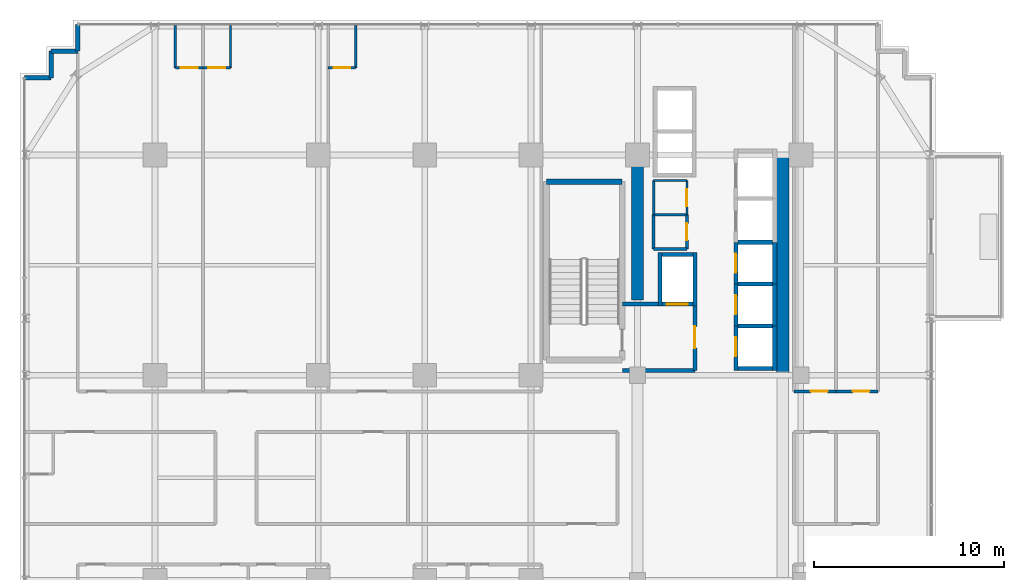
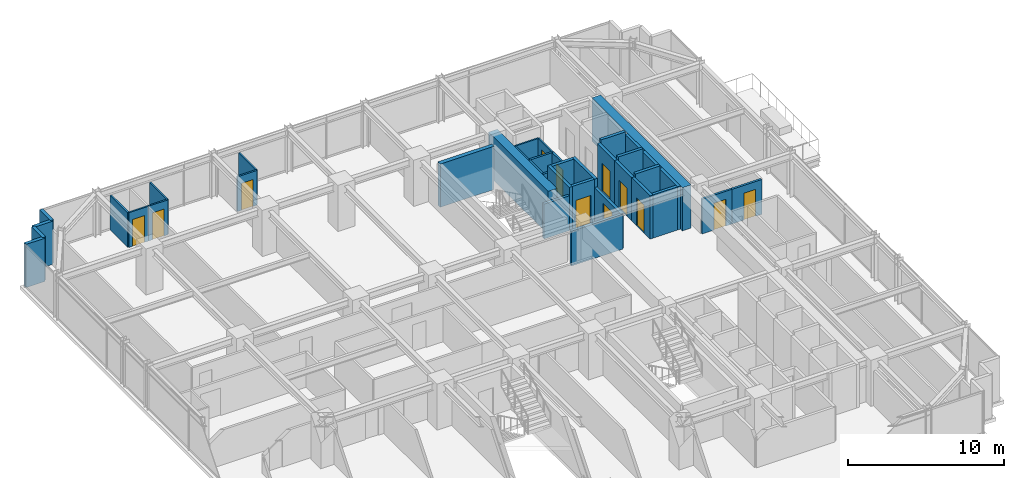
# One storey, part 29 of 33: 39 walls, 12 doors, 12 openings.
"""IFC4 building model written with IfcOpenShell, lengths in metres."""

from ifc_helpers import new_model, si_unit, direction, frame, frame_2d, origin, place, context, subcontext, project, spatial, rectangle, extrude, source, transform, mapped, material, layer, layer_set, type_object, element, fill, save


model = new_model("IFC4")

# Units and contexts
model_context = context("Model", 3, precision=1e-05, world=origin(), true_north=direction((0.0, 1.0)))
body_context = subcontext(model_context, "Body", "Model", "MODEL_VIEW")
ifc_project = project(units=[si_unit("LENGTHUNIT", "METRE"), si_unit("AREAUNIT", "SQUARE_METRE"), si_unit("VOLUMEUNIT", "CUBIC_METRE"), si_unit("PLANEANGLEUNIT", "RADIAN"), si_unit("MASSUNIT", "GRAM", prefix="KILO")], contexts=[model_context])

# Site, building, storey
site_placement = place(None, origin())
site = spatial("IfcSite", under=ifc_project, at=site_placement, CompositionType="ELEMENT")
building_placement = place(site_placement, origin())
building = spatial("IfcBuilding", under=site, at=building_placement, Name="Nahalor Promenade Grand Hotel", CompositionType="ELEMENT")
storey_placement = place(building_placement, frame((0.0, 0.0, 117.5)))
storey = spatial("IfcBuildingStorey", under=building, at=storey_placement, Name="L29", CompositionType="ELEMENT", Elevation=117.5)

# Walls
ifc_material_1 = material(Name="Concrete B-60 (C50/60)", Category="concrete")
ifc_layer_1 = layer(ifc_material_1, 0.64990234375)
ifc_layer_set_1 = layer_set([ifc_layer_1], Name="Concrete B-60 (C50/60)")
wall_type_1 = type_object("IfcWallType", Name="Wall-CoreShear-650", PredefinedType="SHEAR", material=ifc_layer_set_1)
shared_shape_1 = source(origin(), body_context, "Body", "SweptSolid", [
    extrude(rectangle(XDim=7.64990234375, YDim=0.64990234375, at=frame_2d((3.824951171875, 0.0))), origin(), (0.0, 0.0, 1.0), 3.3798828125),
])
wall_1_placement = place(storey_placement, frame((8.39990234375, 9.35009765625, 0.0), z_axis=(0.0, 0.0, 1.0), x_axis=(0.0, 1.0, 0.0)))
element("IfcWall", 1, at=wall_1_placement, inside=storey, type_object=wall_type_1, Name="CWALL-L29-NW", PredefinedType="SHEAR", context=body_context, shape_type="MappedRepresentation", body=[
    mapped(shared_shape_1, transform((0.0, 0.0, 0.0), scale=1.0)),
])
shared_shape_2 = source(origin(), body_context, "Body", "SweptSolid", [
    extrude(rectangle(XDim=11.60009765625, YDim=0.64990234375, at=frame_2d((5.800048828125, 0.0))), origin(), (0.0, 0.0, 1.0), 3.3798828125),
])
wall_2_placement = place(storey_placement, frame((16.050048828125, 5.39990234375, 0.0), z_axis=(0.0, 0.0, 1.0), x_axis=(0.0, 1.0, 0.0)))
element("IfcWall", 2, at=wall_2_placement, inside=storey, type_object=wall_type_1, Name="CWALL-L29-NE", PredefinedType="SHEAR", context=body_context, shape_type="MappedRepresentation", body=[
    mapped(shared_shape_2, transform((0.0, 0.0, 0.0), scale=1.0)),
])
ifc_material_2 = material(Name="Concrete B-50 (C40/50)", Category="concrete")
ifc_layer_2 = layer(ifc_material_2, 0.300048828125)
ifc_layer_set_2 = layer_set([ifc_layer_2], Name="Concrete B-50 (C40/50)")
wall_type_2 = type_object("IfcWallType", Name="Wall-ShaftShear-300", PredefinedType="SHEAR", material=ifc_layer_set_2)
shared_shape_3 = source(origin(), body_context, "Body", "SweptSolid", [
    extrude(rectangle(XDim=3.97998046875, YDim=0.300048828125, at=frame_2d((1.989990234375, 0.0))), origin(), (0.0, 0.0, 1.0), 3.3798828125),
])
wall_3_placement = place(storey_placement, frame((3.610107421875, 15.590087890625, 0.0), z_axis=(0.0, 0.0, 1.0), x_axis=(1.0, 0.0, 0.0)))
element("IfcWall", 3, at=wall_3_placement, inside=storey, type_object=wall_type_2, Name="L29 Exit Stair ST1 Shaft Wall N", PredefinedType="SHEAR", context=body_context, shape_type="MappedRepresentation", body=[
    mapped(shared_shape_3, transform((0.0, 0.0, 0.0), scale=1.0)),
])
ifc_layer_3 = layer(ifc_material_2, 0.219970703125)
ifc_layer_set_3 = layer_set([ifc_layer_3], Name="Concrete B-50 (C40/50)")
wall_type_3 = type_object("IfcWallType", Name="Wall-LiftShaft-220", PredefinedType="SHEAR", material=ifc_layer_set_3)
shared_shape_4 = source(origin(), body_context, "Body", "SweptSolid", [
    extrude(rectangle(XDim=1.820068359375, YDim=0.219970703125, at=frame_2d((0.91015625, 0.0))), origin(), (0.0, 0.0, 1.0), 3.64990234375),
])
for number, where, z_axis, x_axis, name in (
    (4, (13.68994140625, 8.0, 0.0), (0.0, 0.0, 1.0), (1.0, 0.0, 0.0), "L29 Lift PL1 Hoistway Wall N"),
    (5, (13.68994140625, 10.199951171875, 0.0), (0.0, 0.0, 1.0), (1.0, 0.0, 0.0), "L29 Lift PL2 Hoistway Wall N"),
    (6, (13.68994140625, 12.39990234375, 0.0), (0.0, 0.0, 1.0), (1.0, 0.0, 0.0), "L29 Lift PL3 Hoistway Wall N"),
):
    element("IfcWall", number, at=place(storey_placement, frame(where, z_axis=z_axis, x_axis=x_axis)), inside=storey, type_object=wall_type_3, Name=name, PredefinedType="SHEAR", context=body_context, shape_type="MappedRepresentation", body=[
        mapped(shared_shape_4, transform((0.0, 0.0, 0.0), scale=1.0)),
    ])

# Wall, opening, door
shared_shape_5 = source(origin(), body_context, "Body", "SweptSolid", [
    extrude(rectangle(XDim=2.360107421875, YDim=0.219970703125, at=frame_2d((1.18017578125, 0.0))), origin(), (0.0, 0.0, 1.0), 3.3798828125),
])
wall_4_placement = place(storey_placement, frame((13.580078125, 5.639892578125, 0.0), z_axis=(0.0, 0.0, 1.0), x_axis=(0.0, 1.0, 0.0)))
wall_4 = element("IfcWall", 7, at=wall_4_placement, inside=storey, type_object=wall_type_3, Name="L29 Lift PL1 Hoistway Wall W", PredefinedType="SHEAR", context=body_context, shape_type="MappedRepresentation", body=[
    mapped(shared_shape_5, transform((0.0, 0.0, 0.0), scale=1.0)),
])
opening_1_placement = place(wall_4_placement, frame((0.760009765625, 0.0, 0.0)))
opening_1 = element("IfcOpeningElement", 8, at=opening_1_placement, cuts=wall_4, Name="Opening LD-01", PredefinedType="OPENING", context=body_context, shape_type="SweptSolid", body=[
    extrude(rectangle(XDim=1.0, YDim=2.199951171875, at=frame_2d((0.5, 1.10009765625))), frame((0.0, 0.119873046875, 0.0), z_axis=(0.0, -1.0, 0.0), x_axis=(1.0, 0.0, 0.0)), (0.0, 0.0, 1.0), 0.239990234375),
])
ifc_material_3 = material(Name="Steel S355JR", Category="steel")
door_type_1 = type_object("IfcDoorType", Name="Door-LiftLanding-1000", OperationType="DOUBLE_DOOR_SLIDING", PredefinedType="DOOR", material=ifc_material_3)
shared_shape_6 = source(origin(), body_context, "Body", "SweptSolid", [
    extrude(rectangle(XDim=1.0, YDim=2.199951171875, at=frame_2d((0.5, 1.10009765625))), frame((0.0, 0.02490234375, 0.0), z_axis=(0.0, -1.0, 0.0), x_axis=(1.0, 0.0, 0.0)), (0.0, 0.0, 1.0), 0.050048828125),
])
door_1_placement = place(opening_1_placement, origin())
door_1 = element("IfcDoor", 9, at=door_1_placement, inside=storey, type_object=door_type_1, Name="DR-LIFT-PL1-L29", OperationType="DOUBLE_DOOR_SLIDING", OverallHeight=2.199951171875, OverallWidth=1.0, PredefinedType="DOOR", context=body_context, shape_type="MappedRepresentation", body=[
    mapped(shared_shape_6, transform((0.0, 0.0, 0.0), scale=1.0)),
])
fill(opening_1, door_1)

# Walls
wall_5_placement = place(storey_placement, frame((15.6201171875, 5.639892578125, 0.0), z_axis=(0.0, 0.0, 1.0), x_axis=(0.0, 1.0, 0.0)))
element("IfcWall", 10, at=wall_5_placement, inside=storey, type_object=wall_type_3, Name="L29 Lift PL1 Hoistway Wall E", PredefinedType="SHEAR", context=body_context, shape_type="MappedRepresentation", body=[
    mapped(shared_shape_5, transform((0.0, 0.0, 0.0), scale=1.0)),
])
shared_shape_7 = source(origin(), body_context, "Body", "SweptSolid", [
    extrude(rectangle(XDim=1.820068359375, YDim=0.219970703125, at=frame_2d((0.91015625, 0.0))), origin(), (0.0, 0.0, 1.0), 3.3798828125),
])
wall_6_placement = place(storey_placement, frame((13.68994140625, 5.75, 0.0), z_axis=(0.0, 0.0, 1.0), x_axis=(1.0, 0.0, 0.0)))
element("IfcWall", 11, at=wall_6_placement, inside=storey, type_object=wall_type_3, Name="L29 Lift PL1 Hoistway Wall S", PredefinedType="SHEAR", context=body_context, shape_type="MappedRepresentation", body=[
    mapped(shared_shape_7, transform((0.0, 0.0, 0.0), scale=1.0)),
])

# Wall, opening, door
shared_shape_8 = source(origin(), body_context, "Body", "SweptSolid", [
    extrude(rectangle(XDim=2.199951171875, YDim=0.219970703125, at=frame_2d((1.10009765625, 0.0))), origin(), (0.0, 0.0, 1.0), 3.3798828125),
])
wall_7_placement = place(storey_placement, frame((13.580078125, 8.0, 0.0), z_axis=(0.0, 0.0, 1.0), x_axis=(0.0, 1.0, 0.0)))
wall_7 = element("IfcWall", 12, at=wall_7_placement, inside=storey, type_object=wall_type_3, Name="L29 Lift PL2 Hoistway Wall W", PredefinedType="SHEAR", context=body_context, shape_type="MappedRepresentation", body=[
    mapped(shared_shape_8, transform((0.0, 0.0, 0.0), scale=1.0)),
])
opening_2_placement = place(wall_7_placement, frame((0.60009765625, 0.0, 0.0)))
opening_2 = element("IfcOpeningElement", 13, at=opening_2_placement, cuts=wall_7, Name="Opening LD-01", PredefinedType="OPENING", context=body_context, shape_type="SweptSolid", body=[
    extrude(rectangle(XDim=1.0, YDim=2.199951171875, at=frame_2d((0.5, 1.10009765625))), frame((0.0, 0.119873046875, 0.0), z_axis=(0.0, -1.0, 0.0), x_axis=(1.0, 0.0, 0.0)), (0.0, 0.0, 1.0), 0.239990234375),
])
door_2_placement = place(opening_2_placement, origin())
door_2 = element("IfcDoor", 14, at=door_2_placement, inside=storey, type_object=door_type_1, Name="DR-LIFT-PL2-L29", OperationType="DOUBLE_DOOR_SLIDING", OverallHeight=2.199951171875, OverallWidth=1.0, PredefinedType="DOOR", context=body_context, shape_type="MappedRepresentation", body=[
    mapped(shared_shape_6, transform((0.0, 0.0, 0.0), scale=1.0)),
])
fill(opening_2, door_2)

# Wall
wall_8_placement = place(storey_placement, frame((15.6201171875, 8.0, 0.0), z_axis=(0.0, 0.0, 1.0), x_axis=(0.0, 1.0, 0.0)))
element("IfcWall", 15, at=wall_8_placement, inside=storey, type_object=wall_type_3, Name="L29 Lift PL2 Hoistway Wall E", PredefinedType="SHEAR", context=body_context, shape_type="MappedRepresentation", body=[
    mapped(shared_shape_8, transform((0.0, 0.0, 0.0), scale=1.0)),
])

# Wall, opening, door
wall_9_placement = place(storey_placement, frame((13.580078125, 10.199951171875, 0.0), z_axis=(0.0, 0.0, 1.0), x_axis=(0.0, 1.0, 0.0)))
wall_9 = element("IfcWall", 16, at=wall_9_placement, inside=storey, type_object=wall_type_3, Name="L29 Lift PL3 Hoistway Wall W", PredefinedType="SHEAR", context=body_context, shape_type="MappedRepresentation", body=[
    mapped(shared_shape_8, transform((0.0, 0.0, 0.0), scale=1.0)),
])
opening_3_placement = place(wall_9_placement, frame((0.60009765625, 0.0, 0.0)))
opening_3 = element("IfcOpeningElement", 17, at=opening_3_placement, cuts=wall_9, Name="Opening LD-01", PredefinedType="OPENING", context=body_context, shape_type="SweptSolid", body=[
    extrude(rectangle(XDim=1.0, YDim=2.199951171875, at=frame_2d((0.5, 1.10009765625))), frame((0.0, 0.119873046875, 0.0), z_axis=(0.0, -1.0, 0.0), x_axis=(1.0, 0.0, 0.0)), (0.0, 0.0, 1.0), 0.239990234375),
])
door_3_placement = place(opening_3_placement, origin())
door_3 = element("IfcDoor", 18, at=door_3_placement, inside=storey, type_object=door_type_1, Name="DR-LIFT-PL3-L29", OperationType="DOUBLE_DOOR_SLIDING", OverallHeight=2.199951171875, OverallWidth=1.0, PredefinedType="DOOR", context=body_context, shape_type="MappedRepresentation", body=[
    mapped(shared_shape_6, transform((0.0, 0.0, 0.0), scale=1.0)),
])
fill(opening_3, door_3)

# Walls
wall_10_placement = place(storey_placement, frame((15.6201171875, 10.199951171875, 0.0), z_axis=(0.0, 0.0, 1.0), x_axis=(0.0, 1.0, 0.0)))
element("IfcWall", 19, at=wall_10_placement, inside=storey, type_object=wall_type_3, Name="L29 Lift PL3 Hoistway Wall E", PredefinedType="SHEAR", context=body_context, shape_type="MappedRepresentation", body=[
    mapped(shared_shape_8, transform((0.0, 0.0, 0.0), scale=1.0)),
])
shared_shape_9 = source(origin(), body_context, "Body", "SweptSolid", [
    extrude(rectangle(XDim=2.820068359375, YDim=0.219970703125, at=frame_2d((1.41015625, 0.0))), origin(), (0.0, 0.0, 1.0), 3.3798828125),
])
for number, where, z_axis, x_axis, name in (
    (20, (9.580078125, 9.0400390625, 0.0), (0.0, 0.0, 1.0), (0.0, 1.0, 0.0), "L29 Lift FL1 Hoistway Wall W"),
    (21, (11.419921875, 9.0400390625, 0.0), (0.0, 0.0, 1.0), (0.0, 1.0, 0.0), "L29 Lift FL1 Hoistway Wall E"),
):
    element("IfcWall", number, at=place(storey_placement, frame(where, z_axis=z_axis, x_axis=x_axis)), inside=storey, type_object=wall_type_3, Name=name, PredefinedType="SHEAR", context=body_context, shape_type="MappedRepresentation", body=[
        mapped(shared_shape_9, transform((0.0, 0.0, 0.0), scale=1.0)),
    ])

# Wall, opening, door
shared_shape_10 = source(origin(), body_context, "Body", "SweptSolid", [
    extrude(rectangle(XDim=1.6201171875, YDim=0.219970703125, at=frame_2d((0.81005859375, 0.0))), origin(), (0.0, 0.0, 1.0), 3.3798828125),
])
wall_11_placement = place(storey_placement, frame((9.68994140625, 9.14990234375, 0.0), z_axis=(0.0, 0.0, 1.0), x_axis=(1.0, 0.0, 0.0)))
wall_11 = element("IfcWall", 22, at=wall_11_placement, inside=storey, type_object=wall_type_3, Name="L29 Lift FL1 Hoistway Wall S", PredefinedType="SHEAR", context=body_context, shape_type="MappedRepresentation", body=[
    mapped(shared_shape_10, transform((0.0, 0.0, 0.0), scale=1.0)),
])
opening_4_placement = place(wall_11_placement, frame((0.260009765625, 0.0, 0.0)))
opening_4 = element("IfcOpeningElement", 23, at=opening_4_placement, cuts=wall_11, Name="Opening LD-02", PredefinedType="OPENING", context=body_context, shape_type="SweptSolid", body=[
    extrude(rectangle(XDim=1.10009765625, YDim=2.199951171875, at=frame_2d((0.550048828125, 1.10009765625))), frame((0.0, 0.119873046875, 0.0), z_axis=(0.0, -1.0, 0.0), x_axis=(1.0, 0.0, 0.0)), (0.0, 0.0, 1.0), 0.239990234375),
])
door_type_2 = type_object("IfcDoorType", Name="Door-LiftFF-1100", OperationType="DOUBLE_DOOR_SLIDING", PredefinedType="DOOR", material=ifc_material_3)
shared_shape_11 = source(origin(), body_context, "Body", "SweptSolid", [
    extrude(rectangle(XDim=1.10009765625, YDim=2.199951171875, at=frame_2d((0.550048828125, 1.10009765625))), frame((0.0, 0.02490234375, 0.0), z_axis=(0.0, -1.0, 0.0), x_axis=(1.0, 0.0, 0.0)), (0.0, 0.0, 1.0), 0.050048828125),
])
door_4_placement = place(opening_4_placement, frame((1.10009765625, 0.0, 0.0), z_axis=(0.0, 0.0, 1.0), x_axis=(-1.0, 0.0, 0.0)))
door_4 = element("IfcDoor", 24, at=door_4_placement, inside=storey, type_object=door_type_2, Name="DR-LIFT-FL1-L29", OperationType="DOUBLE_DOOR_SLIDING", OverallHeight=2.199951171875, OverallWidth=1.10009765625, PredefinedType="DOOR", context=body_context, shape_type="MappedRepresentation", body=[
    mapped(shared_shape_11, transform((0.0, 0.0, 0.0), scale=1.0)),
])
fill(opening_4, door_4)

# Walls
wall_12_placement = place(storey_placement, frame((9.68994140625, 11.75, 0.0), z_axis=(0.0, 0.0, 1.0), x_axis=(1.0, 0.0, 0.0)))
element("IfcWall", 25, at=wall_12_placement, inside=storey, type_object=wall_type_3, Name="L29 Lift FL1 Hoistway Wall N", PredefinedType="SHEAR", context=body_context, shape_type="MappedRepresentation", body=[
    mapped(shared_shape_10, transform((0.0, 0.0, 0.0), scale=1.0)),
])
ifc_material_4 = material(Name="Concrete B-40 (C32/40)", Category="concrete")
ifc_layer_4 = layer(ifc_material_4, 0.25)
ifc_layer_set_4 = layer_set([ifc_layer_4], Name="Concrete B-40 (C32/40)")
wall_type_4 = type_object("IfcWallType", Name="Wall-BronzePier-250", PredefinedType="STANDARD", material=ifc_layer_set_4)
shared_shape_12 = source(origin(), body_context, "Body", "SweptSolid", [
    extrude(rectangle(XDim=1.400146484375, YDim=0.25, at=frame_2d((0.7001953125, 0.0))), origin(), (0.0, 0.0, 1.0), 3.3798828125),
])
for number, where, z_axis, x_axis, name in (
    (26, (-21.06005859375, 22.4599609375, 0.0), (0.0, 0.0, 1.0), (0.0, 1.0, 0.0), "W-L29-SR-09"),
    (27, (-23.860107421875, 21.06005859375, 0.0), (0.0, 0.0, 1.0), (1.0, 0.0, 0.0), "W-L29-SR-12"),
):
    element("IfcWall", number, at=place(storey_placement, frame(where, z_axis=z_axis, x_axis=x_axis)), inside=storey, type_object=wall_type_4, Name=name, PredefinedType="STANDARD", context=body_context, shape_type="MappedRepresentation", body=[
        mapped(shared_shape_12, transform((0.0, 0.0, 0.0), scale=1.0)),
    ])
shared_shape_13 = source(origin(), body_context, "Body", "SweptSolid", [
    extrude(rectangle(XDim=1.39990234375, YDim=0.25, at=frame_2d((0.699951171875, 0.0))), origin(), (0.0, 0.0, 1.0), 3.3798828125),
])
for number, where, z_axis, x_axis, name in (
    (28, (-22.4599609375, 22.4599609375, 0.0), (0.0, 0.0, 1.0), (1.0, 0.0, 0.0), "W-L29-SR-10"),
    (29, (-22.4599609375, 21.06005859375, 0.0), (0.0, 0.0, 1.0), (0.0, 1.0, 0.0), "W-L29-SR-11"),
):
    element("IfcWall", number, at=place(storey_placement, frame(where, z_axis=z_axis, x_axis=x_axis)), inside=storey, type_object=wall_type_4, Name=name, PredefinedType="STANDARD", context=body_context, shape_type="MappedRepresentation", body=[
        mapped(shared_shape_13, transform((0.0, 0.0, 0.0), scale=1.0)),
    ])
ifc_layer_5 = layer(ifc_material_4, 0.199951171875)
ifc_layer_set_5 = layer_set([ifc_layer_5], Name="Concrete B-40 (C32/40)")
wall_type_5 = type_object("IfcWallType", Name="Wall-PartFire-200", PredefinedType="PARTITIONING", material=ifc_layer_set_5)
shared_shape_14 = source(origin(), body_context, "Body", "SweptSolid", [
    extrude(rectangle(XDim=3.81982421875, YDim=0.199951171875, at=frame_2d((1.909912109375, 0.0))), origin(), (0.0, 0.0, 1.0), 2.719970703125),
])
wall_13_placement = place(storey_placement, frame((7.60009765625, 5.64990234375, 0.0), z_axis=(0.0, 0.0, 1.0), x_axis=(1.0, 0.0, 0.0)))
element("IfcWall", 30, at=wall_13_placement, inside=storey, type_object=wall_type_5, Name="W-L29-FF1-S", PredefinedType="PARTITIONING", context=body_context, shape_type="MappedRepresentation", body=[
    mapped(shared_shape_14, transform((0.0, 0.0, 0.0), scale=1.0)),
])
shared_shape_15 = source(origin(), body_context, "Body", "SweptSolid", [
    extrude(rectangle(XDim=1.89990234375, YDim=0.199951171875, at=frame_2d((0.949951171875, 0.0))), origin(), (0.0, 0.0, 1.0), 2.719970703125),
])
wall_14_placement = place(storey_placement, frame((7.60009765625, 9.14990234375, 0.0), z_axis=(0.0, 0.0, 1.0), x_axis=(1.0, 0.0, 0.0)))
element("IfcWall", 31, at=wall_14_placement, inside=storey, type_object=wall_type_5, Name="W-L29-FF1-N", PredefinedType="PARTITIONING", context=body_context, shape_type="MappedRepresentation", body=[
    mapped(shared_shape_15, transform((0.0, 0.0, 0.0), scale=1.0)),
])

# Wall, opening, door
shared_shape_16 = source(origin(), body_context, "Body", "SweptSolid", [
    extrude(rectangle(XDim=3.5, YDim=0.199951171875, at=frame_2d((1.75, 0.0))), origin(), (0.0, 0.0, 1.0), 2.719970703125),
])
wall_15_placement = place(storey_placement, frame((11.419921875, 5.64990234375, 0.0), z_axis=(0.0, 0.0, 1.0), x_axis=(0.0, 1.0, 0.0)))
wall_15 = element("IfcWall", 32, at=wall_15_placement, inside=storey, type_object=wall_type_5, Name="W-L29-FF1-E", PredefinedType="PARTITIONING", context=body_context, shape_type="MappedRepresentation", body=[
    mapped(shared_shape_16, transform((0.0, 0.0, 0.0), scale=1.0)),
])
opening_5_placement = place(wall_15_placement, frame((1.175048828125, 0.0, 0.0)))
opening_5 = element("IfcOpeningElement", 33, at=opening_5_placement, cuts=wall_15, Name="Opening D-FF1", PredefinedType="OPENING", context=body_context, shape_type="SweptSolid", body=[
    extrude(rectangle(XDim=1.14990234375, YDim=2.14990234375, at=frame_2d((0.574951171875, 1.074951171875))), frame((0.0, 0.10986328125, 0.0), z_axis=(0.0, -1.0, 0.0), x_axis=(1.0, 0.0, 0.0)), (0.0, 0.0, 1.0), 0.219970703125),
])
door_type_3 = type_object("IfcDoorType", Name="Door-FFLobby-1150", OperationType="NOTDEFINED", PredefinedType="DOOR", material=ifc_material_3)
shared_shape_17 = source(origin(), body_context, "Body", "SweptSolid", [
    extrude(rectangle(XDim=1.14990234375, YDim=2.14990234375, at=frame_2d((0.574951171875, 1.074951171875))), frame((0.0, 0.02490234375, 0.0), z_axis=(0.0, -1.0, 0.0), x_axis=(1.0, 0.0, 0.0)), (0.0, 0.0, 1.0), 0.050048828125),
])
door_5_placement = place(opening_5_placement, frame((1.14990234375, 0.0, 0.0), z_axis=(0.0, 0.0, 1.0), x_axis=(-1.0, 0.0, 0.0)))
door_5 = element("IfcDoor", 34, at=door_5_placement, inside=storey, type_object=door_type_3, Name="DR-L29-FFL1", OperationType="SINGLE_SWING_RIGHT", OverallHeight=2.14990234375, OverallWidth=1.14990234375, PredefinedType="DOOR", context=body_context, shape_type="MappedRepresentation", body=[
    mapped(shared_shape_17, transform((0.0, 0.0, 0.0), scale=1.0)),
])
fill(opening_5, door_5)

# Walls
ifc_material_5 = material(Name="Acoustic Mineral Gypsum", Category="gypsum")
ifc_layer_6 = layer(ifc_material_5, 0.14990234375)
ifc_layer_set_6 = layer_set([ifc_layer_6], Name="Acoustic Mineral Gypsum")
wall_type_6 = type_object("IfcWallType", Name="Wall-PartService-150", PredefinedType="PARTITIONING", material=ifc_layer_set_6)
shared_shape_18 = source(origin(), body_context, "Body", "SweptSolid", [
    extrude(rectangle(XDim=1.75, YDim=0.14990234375, at=frame_2d((0.875, 0.0))), origin(), (0.0, 0.0, 1.0), 2.719970703125),
])
for number, where, z_axis, x_axis, name in (
    (35, (9.25, 12.050048828125, 0.0), (0.0, 0.0, 1.0), (1.0, 0.0, 0.0), "W-L29-CK2A-S"),
    (36, (9.25, 13.85009765625, 0.0), (0.0, 0.0, 1.0), (1.0, 0.0, 0.0), "W-L29-CK2A-N"),
):
    element("IfcWall", number, at=place(storey_placement, frame(where, z_axis=z_axis, x_axis=x_axis)), inside=storey, type_object=wall_type_6, Name=name, PredefinedType="PARTITIONING", context=body_context, shape_type="MappedRepresentation", body=[
        mapped(shared_shape_18, transform((0.0, 0.0, 0.0), scale=1.0)),
    ])
ifc_layer_7 = layer(ifc_material_5, 0.1201171875)
ifc_layer_set_7 = layer_set([ifc_layer_7], Name="Acoustic Mineral Gypsum")
wall_type_7 = type_object("IfcWallType", Name="Wall-PartBath-120", PredefinedType="PARTITIONING", material=ifc_layer_set_7)
shared_shape_19 = source(origin(), body_context, "Body", "SweptSolid", [
    extrude(rectangle(XDim=1.75, YDim=0.1201171875, at=frame_2d((0.875, 0.0))), origin(), (0.0, 0.0, 1.0), 2.719970703125),
])
wall_16_placement = place(storey_placement, frame((9.25, 15.64990234375, 0.0), z_axis=(0.0, 0.0, 1.0), x_axis=(1.0, 0.0, 0.0)))
element("IfcWall", 37, at=wall_16_placement, inside=storey, type_object=wall_type_7, Name="W-L29-CK2B-N", PredefinedType="PARTITIONING", context=body_context, shape_type="MappedRepresentation", body=[
    mapped(shared_shape_19, transform((0.0, 0.0, 0.0), scale=1.0)),
])

# Wall, opening, door
shared_shape_20 = source(origin(), body_context, "Body", "SweptSolid", [
    extrude(rectangle(XDim=1.4501953125, YDim=0.1201171875, at=frame_2d((0.72509765625, 0.0))), origin(), (0.0, 0.0, 1.0), 2.719970703125),
])
wall_17_placement = place(storey_placement, frame((-15.922119140625, 21.580078125, 0.0), z_axis=(0.0, 0.0, 1.0), x_axis=(1.0, 0.0, 0.0)))
wall_17 = element("IfcWall", 38, at=wall_17_placement, inside=storey, type_object=wall_type_7, Name="W-L29-N1-BH", PredefinedType="PARTITIONING", context=body_context, shape_type="MappedRepresentation", body=[
    mapped(shared_shape_20, transform((0.0, 0.0, 0.0), scale=1.0)),
])
opening_6_placement = place(wall_17_placement, frame((0.284912109375, 0.0, 0.0)))
opening_6 = element("IfcOpeningElement", 39, at=opening_6_placement, cuts=wall_17, Name="Opening D-03", PredefinedType="OPENING", context=body_context, shape_type="SweptSolid", body=[
    extrude(rectangle(XDim=0.8798828125, YDim=2.10009765625, at=frame_2d((0.43994140625, 1.050048828125))), frame((0.0, 0.070068359375, 0.0), z_axis=(0.0, -1.0, 0.0), x_axis=(1.0, 0.0, 0.0)), (0.0, 0.0, 1.0), 0.14013671875),
])
ifc_material_6 = material(Name="Fire-Rated Timber Composite", Category="wood")
door_type_4 = type_object("IfcDoorType", Name="Door-BathSwing-880", OperationType="NOTDEFINED", PredefinedType="DOOR", material=ifc_material_6)
shared_shape_21 = source(origin(), body_context, "Body", "SweptSolid", [
    extrude(rectangle(XDim=0.8798828125, YDim=2.10009765625, at=frame_2d((0.43994140625, 1.050048828125))), frame((0.0, 0.02490234375, 0.0), z_axis=(0.0, -1.0, 0.0), x_axis=(1.0, 0.0, 0.0)), (0.0, 0.0, 1.0), 0.050048828125),
])
door_6_placement = place(opening_6_placement, origin())
door_6 = element("IfcDoor", 40, at=door_6_placement, inside=storey, type_object=door_type_4, Name="DR-L29-N1-BATH", OperationType="SINGLE_SWING_RIGHT", OverallHeight=2.10009765625, OverallWidth=0.8798828125, PredefinedType="DOOR", context=body_context, shape_type="MappedRepresentation", body=[
    mapped(shared_shape_21, transform((0.0, 0.0, 0.0), scale=1.0)),
])
fill(opening_6, door_6)

# Walls
shared_shape_22 = source(origin(), body_context, "Body", "SweptSolid", [
    extrude(rectangle(XDim=2.219970703125, YDim=0.1201171875, at=frame_2d((1.10986328125, 0.0))), origin(), (0.0, 0.0, 1.0), 2.719970703125),
])
for number, where, z_axis, x_axis, name in (
    (41, (-15.922119140625, 21.580078125, 0.0), (0.0, 0.0, 1.0), (0.0, 1.0, 0.0), "W-L29-N1-BV"),
    (42, (-13.02197265625, 21.580078125, 0.0), (0.0, 0.0, 1.0), (0.0, 1.0, 0.0), "W-L29-N2-BV"),
    (43, (-6.43408203125, 21.580078125, 0.0), (0.0, 0.0, 1.0), (0.0, 1.0, 0.0), "W-L29-N3-BV"),
):
    element("IfcWall", number, at=place(storey_placement, frame(where, z_axis=z_axis, x_axis=x_axis)), inside=storey, type_object=wall_type_7, Name=name, PredefinedType="PARTITIONING", context=body_context, shape_type="MappedRepresentation", body=[
        mapped(shared_shape_22, transform((0.0, 0.0, 0.0), scale=1.0)),
    ])

# Wall, opening, door
shared_shape_23 = source(origin(), body_context, "Body", "SweptSolid", [
    extrude(rectangle(XDim=1.449951171875, YDim=0.1201171875, at=frame_2d((0.72509765625, 0.0))), origin(), (0.0, 0.0, 1.0), 2.719970703125),
])
wall_18_placement = place(storey_placement, frame((-14.471923828125, 21.580078125, 0.0), z_axis=(0.0, 0.0, 1.0), x_axis=(1.0, 0.0, 0.0)))
wall_18 = element("IfcWall", 44, at=wall_18_placement, inside=storey, type_object=wall_type_7, Name="W-L29-N2-BH", PredefinedType="PARTITIONING", context=body_context, shape_type="MappedRepresentation", body=[
    mapped(shared_shape_23, transform((0.0, 0.0, 0.0), scale=1.0)),
])
opening_7_placement = place(wall_18_placement, frame((0.284912109375, 0.0, 0.0)))
opening_7 = element("IfcOpeningElement", 45, at=opening_7_placement, cuts=wall_18, Name="Opening D-03", PredefinedType="OPENING", context=body_context, shape_type="SweptSolid", body=[
    extrude(rectangle(XDim=0.8798828125, YDim=2.10009765625, at=frame_2d((0.43994140625, 1.050048828125))), frame((0.0, 0.070068359375, 0.0), z_axis=(0.0, -1.0, 0.0), x_axis=(1.0, 0.0, 0.0)), (0.0, 0.0, 1.0), 0.14013671875),
])
door_7_placement = place(opening_7_placement, origin())
door_7 = element("IfcDoor", 46, at=door_7_placement, inside=storey, type_object=door_type_4, Name="DR-L29-N2-BATH", OperationType="SINGLE_SWING_RIGHT", OverallHeight=2.10009765625, OverallWidth=0.8798828125, PredefinedType="DOOR", context=body_context, shape_type="MappedRepresentation", body=[
    mapped(shared_shape_21, transform((0.0, 0.0, 0.0), scale=1.0)),
])
fill(opening_7, door_7)

wall_19_placement = place(storey_placement, frame((-7.884033203125, 21.580078125, 0.0), z_axis=(0.0, 0.0, 1.0), x_axis=(1.0, 0.0, 0.0)))
wall_19 = element("IfcWall", 47, at=wall_19_placement, inside=storey, type_object=wall_type_7, Name="W-L29-N3-BH", PredefinedType="PARTITIONING", context=body_context, shape_type="MappedRepresentation", body=[
    mapped(shared_shape_23, transform((0.0, 0.0, 0.0), scale=1.0)),
])
opening_8_placement = place(wall_19_placement, frame((0.284912109375, 0.0, 0.0)))
opening_8 = element("IfcOpeningElement", 48, at=opening_8_placement, cuts=wall_19, Name="Opening D-03", PredefinedType="OPENING", context=body_context, shape_type="SweptSolid", body=[
    extrude(rectangle(XDim=0.8798828125, YDim=2.10009765625, at=frame_2d((0.43994140625, 1.050048828125))), frame((0.0, 0.070068359375, 0.0), z_axis=(0.0, -1.0, 0.0), x_axis=(1.0, 0.0, 0.0)), (0.0, 0.0, 1.0), 0.14013671875),
])
door_8_placement = place(opening_8_placement, origin())
door_8 = element("IfcDoor", 49, at=door_8_placement, inside=storey, type_object=door_type_4, Name="DR-L29-N3-BATH", OperationType="SINGLE_SWING_RIGHT", OverallHeight=2.10009765625, OverallWidth=0.8798828125, PredefinedType="DOOR", context=body_context, shape_type="MappedRepresentation", body=[
    mapped(shared_shape_21, transform((0.0, 0.0, 0.0), scale=1.0)),
])
fill(opening_8, door_8)

ifc_layer_8 = layer(ifc_material_5, 0.159912109375)
ifc_layer_set_8 = layer_set([ifc_layer_8], Name="Acoustic Mineral Gypsum")
wall_type_8 = type_object("IfcWallType", Name="Wall-PartCorridor-160", PredefinedType="PARTITIONING", material=ifc_layer_set_8)
shared_shape_24 = source(origin(), body_context, "Body", "SweptSolid", [
    extrude(rectangle(XDim=2.205078125, YDim=0.159912109375, at=frame_2d((1.1025390625, 0.0))), origin(), (0.0, 0.0, 1.0), 2.719970703125),
])
wall_20_placement = place(storey_placement, frame((16.64990234375, 4.550048828125, 0.0), z_axis=(0.0, 0.0, 1.0), x_axis=(1.0, 0.0, 0.0)))
wall_20 = element("IfcWall", 50, at=wall_20_placement, inside=storey, type_object=wall_type_8, Name="W-L29-ENE1-S", PredefinedType="PARTITIONING", context=body_context, shape_type="MappedRepresentation", body=[
    mapped(shared_shape_24, transform((0.0, 0.0, 0.0), scale=1.0)),
])
opening_9_placement = place(wall_20_placement, frame((0.875, 0.0, 0.0)))
opening_9 = element("IfcOpeningElement", 51, at=opening_9_placement, cuts=wall_20, Name="Opening D-03", PredefinedType="OPENING", context=body_context, shape_type="SweptSolid", body=[
    extrude(rectangle(XDim=0.8798828125, YDim=2.10009765625, at=frame_2d((0.43994140625, 1.050048828125))), frame((0.0, 0.08984375, 0.0), z_axis=(0.0, -1.0, 0.0), x_axis=(1.0, 0.0, 0.0)), (0.0, 0.0, 1.0), 0.179931640625),
])
door_9_placement = place(opening_9_placement, origin())
door_9 = element("IfcDoor", 52, at=door_9_placement, inside=storey, type_object=door_type_4, Name="DR-L29-ENE1", OperationType="SINGLE_SWING_RIGHT", OverallHeight=2.10009765625, OverallWidth=0.8798828125, PredefinedType="DOOR", context=body_context, shape_type="MappedRepresentation", body=[
    mapped(shared_shape_21, transform((0.0, 0.0, 0.0), scale=1.0)),
])
fill(opening_9, door_9)

wall_21_placement = place(storey_placement, frame((18.85498046875, 4.550048828125, 0.0), z_axis=(0.0, 0.0, 1.0), x_axis=(1.0, 0.0, 0.0)))
wall_21 = element("IfcWall", 53, at=wall_21_placement, inside=storey, type_object=wall_type_8, Name="W-L29-ENE2-S", PredefinedType="PARTITIONING", context=body_context, shape_type="MappedRepresentation", body=[
    mapped(shared_shape_24, transform((0.0, 0.0, 0.0), scale=1.0)),
])
opening_10_placement = place(wall_21_placement, frame((0.875, 0.0, 0.0)))
opening_10 = element("IfcOpeningElement", 54, at=opening_10_placement, cuts=wall_21, Name="Opening D-03", PredefinedType="OPENING", context=body_context, shape_type="SweptSolid", body=[
    extrude(rectangle(XDim=0.8798828125, YDim=2.10009765625, at=frame_2d((0.43994140625, 1.050048828125))), frame((0.0, 0.08984375, 0.0), z_axis=(0.0, -1.0, 0.0), x_axis=(1.0, 0.0, 0.0)), (0.0, 0.0, 1.0), 0.179931640625),
])
door_10_placement = place(opening_10_placement, origin())
door_10 = element("IfcDoor", 55, at=door_10_placement, inside=storey, type_object=door_type_4, Name="DR-L29-ENE2", OperationType="SINGLE_SWING_LEFT", OverallHeight=2.10009765625, OverallWidth=0.8798828125, PredefinedType="DOOR", context=body_context, shape_type="MappedRepresentation", body=[
    mapped(shared_shape_21, transform((0.0, 0.0, 0.0), scale=1.0)),
])
fill(opening_10, door_10)

# Wall
shared_shape_25 = source(origin(), body_context, "Body", "SweptSolid", [
    extrude(rectangle(XDim=1.800048828125, YDim=0.14990234375, at=frame_2d((0.89990234375, 0.0))), origin(), (0.0, 0.0, 1.0), 2.719970703125),
])
wall_22_placement = place(storey_placement, frame((9.25, 12.050048828125, 0.0), z_axis=(0.0, 0.0, 1.0), x_axis=(0.0, 1.0, 0.0)))
element("IfcWall", 56, at=wall_22_placement, inside=storey, type_object=wall_type_6, Name="W-L29-CK2A-W", PredefinedType="PARTITIONING", context=body_context, shape_type="MappedRepresentation", body=[
    mapped(shared_shape_25, transform((0.0, 0.0, 0.0), scale=1.0)),
])

# Wall, opening, door
wall_23_placement = place(storey_placement, frame((11.0, 12.050048828125, 0.0), z_axis=(0.0, 0.0, 1.0), x_axis=(0.0, 1.0, 0.0)))
wall_23 = element("IfcWall", 57, at=wall_23_placement, inside=storey, type_object=wall_type_6, Name="W-L29-CK2A-E", PredefinedType="PARTITIONING", context=body_context, shape_type="MappedRepresentation", body=[
    mapped(shared_shape_25, transform((0.0, 0.0, 0.0), scale=1.0)),
])
opening_11_placement = place(wall_23_placement, frame((0.4599609375, 0.0, 0.0)))
opening_11 = element("IfcOpeningElement", 58, at=opening_11_placement, cuts=wall_23, Name="Opening D-03", PredefinedType="OPENING", context=body_context, shape_type="SweptSolid", body=[
    extrude(rectangle(XDim=0.8798828125, YDim=2.10009765625, at=frame_2d((0.43994140625, 1.050048828125))), frame((0.0, 0.0849609375, 0.0), z_axis=(0.0, -1.0, 0.0), x_axis=(1.0, 0.0, 0.0)), (0.0, 0.0, 1.0), 0.169921875),
])
door_11_placement = place(opening_11_placement, origin())
door_11 = element("IfcDoor", 59, at=door_11_placement, inside=storey, type_object=door_type_4, Name="DR-L29-CK2A", OperationType="SINGLE_SWING_RIGHT", OverallHeight=2.10009765625, OverallWidth=0.8798828125, PredefinedType="DOOR", context=body_context, shape_type="MappedRepresentation", body=[
    mapped(shared_shape_21, transform((0.0, 0.0, 0.0), scale=1.0)),
])
fill(opening_11, door_11)

# Wall
shared_shape_26 = source(origin(), body_context, "Body", "SweptSolid", [
    extrude(rectangle(XDim=1.7998046875, YDim=0.1201171875, at=frame_2d((0.89990234375, 0.0))), origin(), (0.0, 0.0, 1.0), 2.719970703125),
])
wall_24_placement = place(storey_placement, frame((9.25, 13.85009765625, 0.0), z_axis=(0.0, 0.0, 1.0), x_axis=(0.0, 1.0, 0.0)))
element("IfcWall", 60, at=wall_24_placement, inside=storey, type_object=wall_type_7, Name="W-L29-CK2B-W", PredefinedType="PARTITIONING", context=body_context, shape_type="MappedRepresentation", body=[
    mapped(shared_shape_26, transform((0.0, 0.0, 0.0), scale=1.0)),
])

# Wall, opening, door
wall_25_placement = place(storey_placement, frame((11.0, 13.85009765625, 0.0), z_axis=(0.0, 0.0, 1.0), x_axis=(0.0, 1.0, 0.0)))
wall_25 = element("IfcWall", 61, at=wall_25_placement, inside=storey, type_object=wall_type_7, Name="W-L29-CK2B-E", PredefinedType="PARTITIONING", context=body_context, shape_type="MappedRepresentation", body=[
    mapped(shared_shape_26, transform((0.0, 0.0, 0.0), scale=1.0)),
])
opening_12_placement = place(wall_25_placement, frame((0.4599609375, 0.0, 0.0)))
opening_12 = element("IfcOpeningElement", 62, at=opening_12_placement, cuts=wall_25, Name="Opening D-03", PredefinedType="OPENING", context=body_context, shape_type="SweptSolid", body=[
    extrude(rectangle(XDim=0.8798828125, YDim=2.10009765625, at=frame_2d((0.43994140625, 1.050048828125))), frame((0.0, 0.070068359375, 0.0), z_axis=(0.0, -1.0, 0.0), x_axis=(1.0, 0.0, 0.0)), (0.0, 0.0, 1.0), 0.14013671875),
])
door_12_placement = place(opening_12_placement, origin())
door_12 = element("IfcDoor", 63, at=door_12_placement, inside=storey, type_object=door_type_4, Name="DR-L29-CK2B", OperationType="SINGLE_SWING_LEFT", OverallHeight=2.10009765625, OverallWidth=0.8798828125, PredefinedType="DOOR", context=body_context, shape_type="MappedRepresentation", body=[
    mapped(shared_shape_21, transform((0.0, 0.0, 0.0), scale=1.0)),
])
fill(opening_12, door_12)

save(model, "model.ifc")
